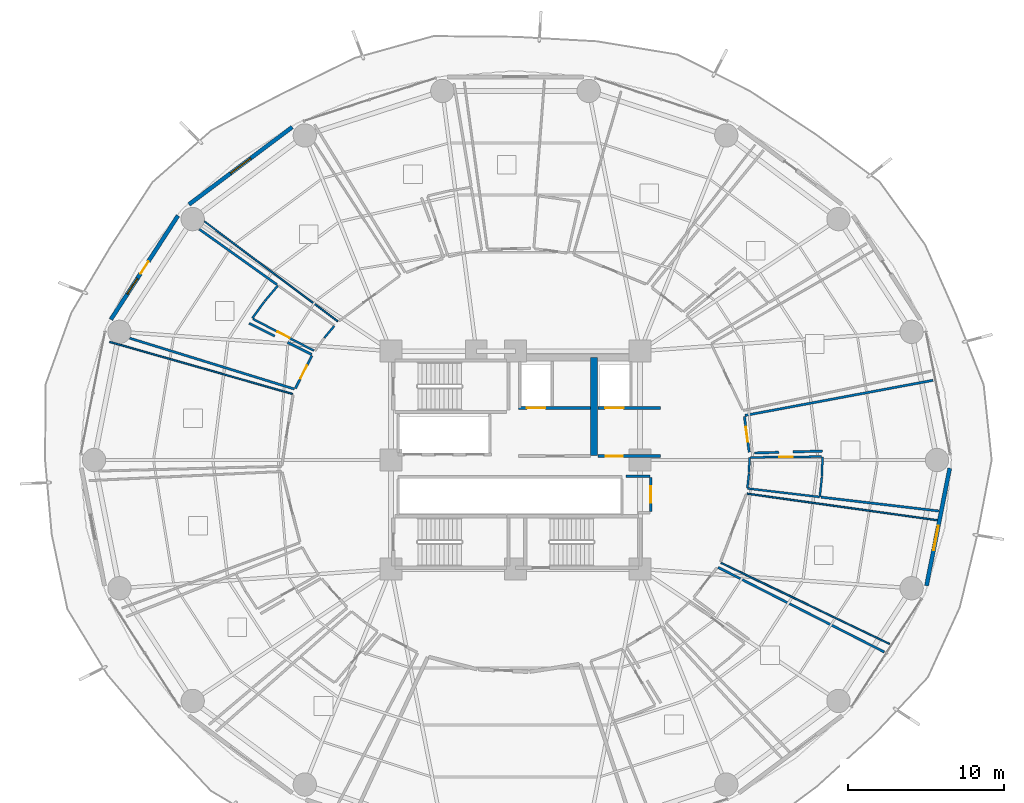
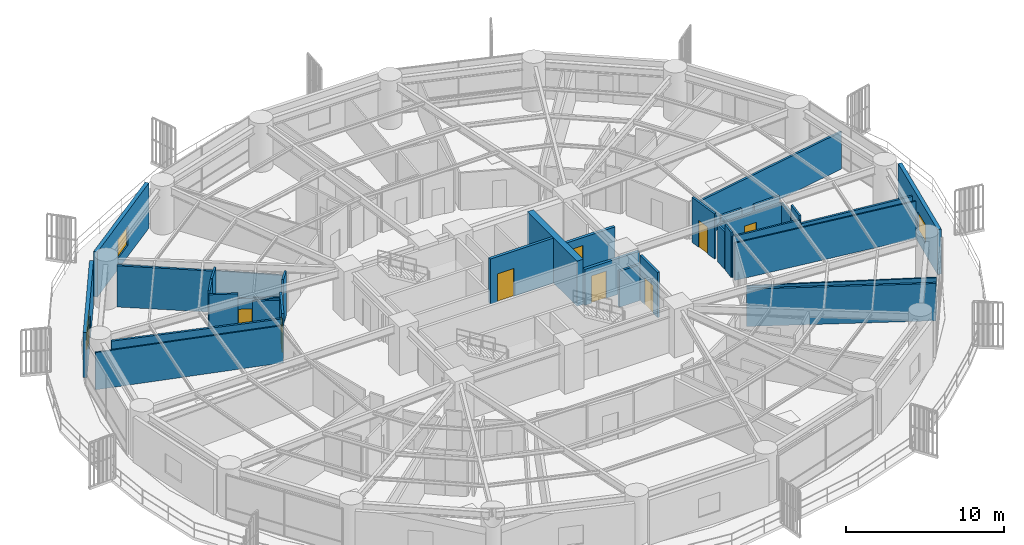
# One storey, part 25 of 33: 34 walls, 9 doors, 3 windows, 12 openings.
"""IFC4 building model written with IfcOpenShell, lengths in metres."""

from ifc_helpers import new_model, si_unit, direction, frame, frame_2d, origin, place, context, subcontext, project, spatial, rectangle, extrude, material, layer, layer_set, type_object, element, fill, save


model = new_model("IFC4")

# Units and contexts
model_context = context("Model", 3, precision=1e-05, world=origin(), true_north=direction((0.0, 1.0)))
body_context = subcontext(model_context, "Body", "Model", "MODEL_VIEW")
ifc_project = project(units=[si_unit("LENGTHUNIT", "METRE"), si_unit("AREAUNIT", "SQUARE_METRE"), si_unit("VOLUMEUNIT", "CUBIC_METRE"), si_unit("PLANEANGLEUNIT", "RADIAN"), si_unit("MASSUNIT", "GRAM", prefix="KILO")], contexts=[model_context])

# Site, building, storey
site_placement = place(None, origin())
site = spatial("IfcSite", under=ifc_project, at=site_placement, CompositionType="ELEMENT")
building_placement = place(site_placement, origin())
building = spatial("IfcBuilding", under=site, at=building_placement, Name="Kelanora Arch Commons", CompositionType="ELEMENT")
storey_placement = place(building_placement, frame((0.0, 0.0, 37.5)))
storey = spatial("IfcBuildingStorey", under=building, at=storey_placement, Name="L09", CompositionType="ELEMENT", Elevation=37.5)

# Wall, opening, door
ifc_material_1 = material(Name="Autoclaved aerated concrete blockwork with fire plaster", Category="masonry")
ifc_layer_1 = layer(ifc_material_1, 0.14990234375)
ifc_layer_set_1 = layer_set([ifc_layer_1], Name="Autoclaved aerated concrete blockwork with fire plaster")
wall_type_1 = type_object("IfcWallType", Name="W-COMP-150", PredefinedType="PARTITIONING", material=ifc_layer_set_1)
wall_1_placement = place(storey_placement, frame((82.679931640625, 54.679931640625, 0.0), z_axis=(0.0, 0.0, 1.0), x_axis=(0.0, 1.0, 0.0)))
wall_1 = element("IfcWall", 1, at=wall_1_placement, inside=storey, type_object=wall_type_1, Name="Core Housekeeping Store L09 Entry Partition", PredefinedType="PARTITIONING", context=body_context, shape_type="SweptSolid", body=[
    extrude(rectangle(XDim=2.2099609375, YDim=0.14990234375, at=frame_2d((1.10498046875, 0.0))), origin(), (0.0, 0.0, 1.0), 3.47998046875),
])
opening_1_placement = place(wall_1_placement, frame((0.56494140625, 0.0, 0.0)))
opening_1 = element("IfcOpeningElement", 2, at=opening_1_placement, cuts=wall_1, Name="Opening D-PLT1", PredefinedType="OPENING", context=body_context, shape_type="SweptSolid", body=[
    extrude(rectangle(XDim=1.080078125, YDim=2.10009765625, at=frame_2d((0.5400390625, 1.050048828125))), frame((0.0, 0.0849609375, 0.0), z_axis=(0.0, -1.0, 0.0), x_axis=(1.0, 0.0, 0.0)), (0.0, 0.0, 1.0), 0.169921875),
])
ifc_material_2 = material(Name="Galvanised steel plant and riser fire door", Category="steel")
door_type_1 = type_object("IfcDoorType", Name="D-PLT-110", OperationType="NOTDEFINED", PredefinedType="DOOR", material=ifc_material_2)
door_1_placement = place(opening_1_placement, origin())
door_1 = element("IfcDoor", 3, at=door_1_placement, inside=storey, type_object=door_type_1, Name="Core Housekeeping Store L09 Door", OperationType="SINGLE_SWING_LEFT", OverallHeight=2.10009765625, OverallWidth=1.080078125, PredefinedType="DOOR", context=body_context, shape_type="SweptSolid", body=[
    extrude(rectangle(XDim=1.080078125, YDim=2.10009765625, at=frame_2d((0.5400390625, 1.050048828125))), frame((0.0, 0.02490234375, 0.0), z_axis=(0.0, -1.0, 0.0), x_axis=(1.0, 0.0, 0.0)), (0.0, 0.0, 1.0), 0.050048828125),
])
fill(opening_1, door_1)

wall_2_placement = place(storey_placement, frame((89.013916015625, 58.50244140625, 0.0), z_axis=(0.0, 0.0, 1.0), x_axis=(-0.133772399852, 0.991012081176, 0.0)))
wall_2 = element("IfcWall", 4, at=wall_2_placement, inside=storey, type_object=wall_type_1, Name="Co-Living Studio L09-04 Entry Partition", PredefinedType="PARTITIONING", context=body_context, shape_type="SweptSolid", body=[
    extrude(rectangle(XDim=2.31591796875, YDim=0.14990234375, at=frame_2d((1.157958984375, 0.0))), origin(), (0.0, 0.0, 1.0), 3.47998046875),
])
opening_2_placement = place(wall_2_placement, frame((0.68310546875, 0.0, 0.0)))
opening_2 = element("IfcOpeningElement", 5, at=opening_2_placement, cuts=wall_2, Name="Opening D-CLU1", PredefinedType="OPENING", context=body_context, shape_type="SweptSolid", body=[
    extrude(rectangle(XDim=0.949951171875, YDim=2.080078125, at=frame_2d((0.47509765625, 1.0400390625))), frame((0.0, 0.0849609375, 0.0), z_axis=(0.0, -1.0, 0.0), x_axis=(1.0, 0.0, 0.0)), (0.0, 0.0, 1.0), 0.169921875),
])
ifc_material_3 = material(Name="Solid-core acoustic timber cluster entry fire door", Category="wood")
door_type_2 = type_object("IfcDoorType", Name="D-CLU-95", OperationType="NOTDEFINED", PredefinedType="DOOR", material=ifc_material_3)
door_2_placement = place(opening_2_placement, origin())
door_2 = element("IfcDoor", 6, at=door_2_placement, inside=storey, type_object=door_type_2, Name="Co-Living Studio L09-04 Door", OperationType="SINGLE_SWING_LEFT", OverallHeight=2.080078125, OverallWidth=0.949951171875, PredefinedType="DOOR", context=body_context, shape_type="SweptSolid", body=[
    extrude(rectangle(XDim=0.949951171875, YDim=2.080078125, at=frame_2d((0.47509765625, 1.0400390625))), frame((0.0, 0.02490234375, 0.0), z_axis=(0.0, -1.0, 0.0), x_axis=(1.0, 0.0, 0.0)), (0.0, 0.0, 1.0), 0.050048828125),
])
fill(opening_2, door_2)

wall_3_placement = place(storey_placement, frame((60.921875, 64.70751953125, 0.0), z_axis=(0.0, 0.0, 1.0), x_axis=(-0.45085566933, -0.892596866135, 0.0)))
wall_3 = element("IfcWall", 7, at=wall_3_placement, inside=storey, type_object=wall_type_1, Name="Co-Living Studio L09-11 Entry Partition", PredefinedType="PARTITIONING", context=body_context, shape_type="SweptSolid", body=[
    extrude(rectangle(XDim=2.357177734375, YDim=0.14990234375, at=frame_2d((1.1787109375, 0.0))), origin(), (0.0, 0.0, 1.0), 3.47998046875),
])
opening_3_placement = place(wall_3_placement, frame((0.7041015625, 0.0, 0.0)))
opening_3 = element("IfcOpeningElement", 8, at=opening_3_placement, cuts=wall_3, Name="Opening D-CLU1", PredefinedType="OPENING", context=body_context, shape_type="SweptSolid", body=[
    extrude(rectangle(XDim=0.949951171875, YDim=2.080078125, at=frame_2d((0.47509765625, 1.0400390625))), frame((0.0, 0.0849609375, 0.0), z_axis=(0.0, -1.0, 0.0), x_axis=(1.0, 0.0, 0.0)), (0.0, 0.0, 1.0), 0.169921875),
])
door_3_placement = place(opening_3_placement, origin())
door_3 = element("IfcDoor", 9, at=door_3_placement, inside=storey, type_object=door_type_2, Name="Co-Living Studio L09-11 Door", OperationType="SINGLE_SWING_RIGHT", OverallHeight=2.080078125, OverallWidth=0.949951171875, PredefinedType="DOOR", context=body_context, shape_type="SweptSolid", body=[
    extrude(rectangle(XDim=0.949951171875, YDim=2.080078125, at=frame_2d((0.47509765625, 1.0400390625))), frame((0.0, 0.02490234375, 0.0), z_axis=(0.0, -1.0, 0.0), x_axis=(1.0, 0.0, 0.0)), (0.0, 0.0, 1.0), 0.050048828125),
])
fill(opening_3, door_3)

# Walls
wall_4_placement = place(storey_placement, frame((82.639892578125, 56.949951171875, 0.0), z_axis=(0.0, 0.0, 1.0), x_axis=(-1.0, 0.0, 0.0)))
element("IfcWall", 10, at=wall_4_placement, inside=storey, type_object=wall_type_1, Name="Core Housekeeping Store L09 Enclosure Partition 3", PredefinedType="PARTITIONING", context=body_context, shape_type="SweptSolid", body=[
    extrude(rectangle(XDim=1.5498046875, YDim=0.14990234375, at=frame_2d((0.77490234375, 0.0))), origin(), (0.0, 0.0, 1.0), 2.77490234375),
])
wall_5_placement = place(storey_placement, frame((87.0126953125, 51.104736328125, 0.0), z_axis=(0.0, 0.0, 1.0), x_axis=(0.891110388763, -0.453786596363, 0.0)))
element("IfcWall", 11, at=wall_5_placement, inside=storey, type_object=wall_type_1, Name="Co-Living Studio L09-02 Enclosure Partition 2", PredefinedType="PARTITIONING", context=body_context, shape_type="SweptSolid", body=[
    extrude(rectangle(XDim=11.982421875, YDim=0.14990234375, at=frame_2d((5.9912109375, 0.0))), origin(), (0.0, 0.0, 1.0), 2.875),
])
wall_6_placement = place(storey_placement, frame((88.7353515625, 60.8642578125, 0.0), z_axis=(0.0, 0.0, 1.0), x_axis=(0.982991936411, 0.183648721617, 0.0)))
element("IfcWall", 12, at=wall_6_placement, inside=storey, type_object=wall_type_1, Name="Co-Living Studio L09-04 Enclosure Partition 2", PredefinedType="PARTITIONING", context=body_context, shape_type="SweptSolid", body=[
    extrude(rectangle(XDim=12.303466796875, YDim=0.14990234375, at=frame_2d((6.15185546875, 0.0))), origin(), (0.0, 0.0, 1.0), 2.875),
])
wall_7_placement = place(storey_placement, frame((101.1923828125, 54.724609375, 0.0), z_axis=(0.0, 0.0, 1.0), x_axis=(-0.993134415104, 0.116978773874, 0.0)))
element("IfcWall", 13, at=wall_7_placement, inside=storey, type_object=wall_type_1, Name="Co-Living Studio L09-04 Enclosure Partition 5", PredefinedType="PARTITIONING", context=body_context, shape_type="SweptSolid", body=[
    extrude(rectangle(XDim=7.621826171875, YDim=0.14990234375, at=frame_2d((3.81103515625, 0.0))), origin(), (0.0, 0.0, 1.0), 2.875),
])
wall_8_placement = place(storey_placement, frame((93.7109375, 58.575927734375, 0.0), z_axis=(0.0, 0.0, 1.0), x_axis=(-0.999599776659, -0.028289335494, 0.0)))
element("IfcWall", 14, at=wall_8_placement, inside=storey, type_object=wall_type_1, Name="Co-Living Studio L09-04 Enclosure Partition 7", PredefinedType="PARTITIONING", context=body_context, shape_type="SweptSolid", body=[
    extrude(rectangle(XDim=1.88134765625, YDim=0.14990234375, at=frame_2d((0.940673828125, 0.0))), origin(), (0.0, 0.0, 1.0), 3.175048828125),
])
wall_9_placement = place(storey_placement, frame((90.91064453125, 58.49658203125, 0.0), z_axis=(0.0, 0.0, 1.0), x_axis=(-0.999595430607, -0.02844248775, 0.0)))
element("IfcWall", 15, at=wall_9_placement, inside=storey, type_object=wall_type_1, Name="Co-Living Studio L09-04 Enclosure Partition 7", PredefinedType="PARTITIONING", context=body_context, shape_type="SweptSolid", body=[
    extrude(rectangle(XDim=1.545166015625, YDim=0.14990234375, at=frame_2d((0.7724609375, 0.0))), origin(), (0.0, 0.0, 1.0), 3.235107421875),
])
wall_10_placement = place(storey_placement, frame((59.793701171875, 62.561767578125, 0.0), z_axis=(0.0, 0.0, 1.0), x_axis=(-0.955526502323, 0.294905244712, 0.0)))
element("IfcWall", 16, at=wall_10_placement, inside=storey, type_object=wall_type_1, Name="Co-Living Studio L09-11 Enclosure Partition 2", PredefinedType="PARTITIONING", context=body_context, shape_type="SweptSolid", body=[
    extrude(rectangle(XDim=11.07421875, YDim=0.14990234375, at=frame_2d((5.537109375, 0.0))), origin(), (0.0, 0.0, 1.0), 3.175048828125),
])
wall_11_placement = place(storey_placement, frame((53.6806640625, 72.830322265625, 0.0), z_axis=(0.0, 0.0, 1.0), x_axis=(0.81406941819, -0.580767580335, 0.0)))
element("IfcWall", 17, at=wall_11_placement, inside=storey, type_object=wall_type_1, Name="Co-Living Studio L09-11 Enclosure Partition 5", PredefinedType="PARTITIONING", context=body_context, shape_type="SweptSolid", body=[
    extrude(rectangle(XDim=6.135498046875, YDim=0.14990234375, at=frame_2d((3.06787109375, 0.0))), origin(), (0.0, 0.0, 1.0), 3.175048828125),
])
wall_12_placement = place(storey_placement, frame((56.876708984375, 66.7880859375, 0.0), z_axis=(0.0, 0.0, 1.0), x_axis=(0.895219183004, -0.445626092573, 0.0)))
element("IfcWall", 18, at=wall_12_placement, inside=storey, type_object=wall_type_1, Name="Co-Living Studio L09-11 Enclosure Partition 7", PredefinedType="PARTITIONING", context=body_context, shape_type="SweptSolid", body=[
    extrude(rectangle(XDim=1.84619140625, YDim=0.14990234375, at=frame_2d((0.923095703125, 0.0))), origin(), (0.0, 0.0, 1.0), 3.47998046875),
])
wall_13_placement = place(storey_placement, frame((59.353271484375, 65.555419921875, 0.0), z_axis=(0.0, 0.0, 1.0), x_axis=(0.895182521617, -0.445699734116, 0.0)))
element("IfcWall", 19, at=wall_13_placement, inside=storey, type_object=wall_type_1, Name="Co-Living Studio L09-11 Enclosure Partition 7", PredefinedType="PARTITIONING", context=body_context, shape_type="SweptSolid", body=[
    extrude(rectangle(XDim=1.742431640625, YDim=0.14990234375, at=frame_2d((0.87109375, 0.0))), origin(), (0.0, 0.0, 1.0), 2.875),
])
ifc_material_4 = material(Name="Concrete C60/75", Category="concrete")
ifc_layer_2 = layer(ifc_material_4, 0.449951171875)
ifc_layer_set_2 = layer_set([ifc_layer_2], Name="Concrete C60/75")
wall_type_2 = type_object("IfcWallType", Name="W-CORE-450", PredefinedType="SHEAR", material=ifc_layer_set_2)
wall_14_placement = place(storey_placement, frame((79.050048828125, 58.300048828125, 0.0), z_axis=(0.0, 0.0, 1.0), x_axis=(0.0, 1.0, 0.0)))
element("IfcWall", 20, at=wall_14_placement, inside=storey, type_object=wall_type_2, Name="Core Shear Spine L09-CE-N", PredefinedType="SHEAR", context=body_context, shape_type="SweptSolid", body=[
    extrude(rectangle(XDim=6.300048828125, YDim=0.449951171875, at=frame_2d((3.14990234375, 0.0))), origin(), (0.0, 0.0, 1.0), 3.489990234375),
])

# Wall, opening, window
ifc_material_5 = material(Name="Precast concrete C40/50 with terracotta rainscreen", Category="masonry")
ifc_layer_3 = layer(ifc_material_5, 0.260009765625)
ifc_layer_set_3 = layer_set([ifc_layer_3], Name="Precast concrete C40/50 with terracotta rainscreen")
wall_type_3 = type_object("IfcWallType", Name="W-EXT-TC", PredefinedType="SOLIDWALL", material=ifc_layer_set_3)
wall_15_placement = place(storey_placement, frame((59.651123046875, 79.38916015625, 0.0), z_axis=(0.0, 0.0, 1.0), x_axis=(-0.80030733173, -0.599590005569, 0.0)))
wall_15 = element("IfcWall", 21, at=wall_15_placement, inside=storey, type_object=wall_type_3, Name="Terracotta Exterior Wall L09-B06", PredefinedType="SOLIDWALL", context=body_context, shape_type="SweptSolid", body=[
    extrude(rectangle(XDim=8.29052734375, YDim=0.260009765625, at=frame_2d((4.145263671875, 0.0))), origin(), (0.0, 0.0, 1.0), 3.47509765625),
])
opening_4_placement = place(wall_15_placement, frame((3.344970703125, 0.0, 0.85009765625)))
opening_4 = element("IfcOpeningElement", 22, at=opening_4_placement, cuts=wall_15, Name="Opening WN-01", PredefinedType="OPENING", context=body_context, shape_type="SweptSolid", body=[
    extrude(rectangle(XDim=1.60009765625, YDim=1.449951171875, at=frame_2d((0.800048828125, 0.72509765625))), frame((0.0, 0.14013671875, 0.0), z_axis=(0.0, -1.0, 0.0), x_axis=(1.0, 0.0, 0.0)), (0.0, 0.0, 1.0), 0.280029296875),
])
ifc_material_6 = material(Name="Terracotta-anodised aluminium frame with operable low-E glazing", Category="masonry")
window_type_1 = type_object("IfcWindowType", Name="WIN-CL-18", PartitioningType="DOUBLE_PANEL_VERTICAL", PredefinedType="WINDOW", material=ifc_material_6)
window_1_placement = place(opening_4_placement, origin())
window_1 = element("IfcWindow", 23, at=window_1_placement, inside=storey, type_object=window_type_1, Name="Co-Living Operable Window L09-B06", OverallHeight=1.449951171875, OverallWidth=1.60009765625, PartitioningType="SINGLE_PANEL", PredefinedType="WINDOW", context=body_context, shape_type="SweptSolid", body=[
    extrude(rectangle(XDim=1.60009765625, YDim=1.449951171875, at=frame_2d((0.800048828125, 0.72509765625))), frame((0.0, 0.030029296875, 0.0), z_axis=(0.0, -1.0, 0.0), x_axis=(1.0, 0.0, 0.0)), (0.0, 0.0, 1.0), 0.06005859375),
])
fill(opening_4, window_1)

# Wall, openings, door, window
wall_16_placement = place(storey_placement, frame((52.310791015625, 73.698486328125, 0.0), z_axis=(0.0, 0.0, 1.0), x_axis=(-0.543005114258, -0.839729388488, 0.0)))
wall_16 = element("IfcWall", 24, at=wall_16_placement, inside=storey, type_object=wall_type_3, Name="Terracotta Exterior Wall L09-B07", PredefinedType="SOLIDWALL", context=body_context, shape_type="SweptSolid", body=[
    extrude(rectangle(XDim=7.9375, YDim=0.260009765625, at=frame_2d((3.96875, 0.0))), origin(), (0.0, 0.0, 1.0), 3.47509765625),
])
opening_5_placement = place(wall_16_placement, frame((3.493896484375, 0.0, 0.0)))
opening_5 = element("IfcOpeningElement", 25, at=opening_5_placement, cuts=wall_16, Name="Opening DB-01", PredefinedType="OPENING", context=body_context, shape_type="SweptSolid", body=[
    extrude(rectangle(XDim=0.949951171875, YDim=2.10009765625, at=frame_2d((0.47509765625, 1.050048828125))), frame((0.0, 0.14013671875, 0.0), z_axis=(0.0, -1.0, 0.0), x_axis=(1.0, 0.0, 0.0)), (0.0, 0.0, 1.0), 0.280029296875),
])
opening_6_placement = place(wall_16_placement, frame((4.7939453125, 0.0, 0.85009765625)))
opening_6 = element("IfcOpeningElement", 26, at=opening_6_placement, cuts=wall_16, Name="Opening WN-02", PredefinedType="OPENING", context=body_context, shape_type="SweptSolid", body=[
    extrude(rectangle(XDim=1.199951171875, YDim=1.449951171875, at=frame_2d((0.60009765625, 0.72509765625))), frame((0.0, 0.14013671875, 0.0), z_axis=(0.0, -1.0, 0.0), x_axis=(1.0, 0.0, 0.0)), (0.0, 0.0, 1.0), 0.280029296875),
])
ifc_material_7 = material(Name="Terracotta-aluminium thermally broken glazed balcony door", Category="masonry")
door_type_3 = type_object("IfcDoorType", Name="D-BAL-10", OperationType="NOTDEFINED", PredefinedType="DOOR", material=ifc_material_7)
door_4_placement = place(opening_5_placement, frame((0.949951171875, 0.0, 0.0), z_axis=(0.0, 0.0, 1.0), x_axis=(-1.0, 0.0, 0.0)))
door_4 = element("IfcDoor", 27, at=door_4_placement, inside=storey, type_object=door_type_3, Name="Wave Balcony Door L09-B07", OperationType="SINGLE_SWING_LEFT", OverallHeight=2.10009765625, OverallWidth=0.949951171875, PredefinedType="DOOR", context=body_context, shape_type="SweptSolid", body=[
    extrude(rectangle(XDim=0.949951171875, YDim=2.10009765625, at=frame_2d((0.47509765625, 1.050048828125))), frame((0.0, 0.02490234375, 0.0), z_axis=(0.0, -1.0, 0.0), x_axis=(1.0, 0.0, 0.0)), (0.0, 0.0, 1.0), 0.050048828125),
])
fill(opening_5, door_4)
ifc_material_8 = material(Name="Terracotta-anodised aluminium frame with operable awning sash", Category="masonry")
window_type_2 = type_object("IfcWindowType", Name="WIN-CL-12", PartitioningType="SINGLE_PANEL", PredefinedType="WINDOW", material=ifc_material_8)
window_2_placement = place(opening_6_placement, origin())
window_2 = element("IfcWindow", 28, at=window_2_placement, inside=storey, type_object=window_type_2, Name="Co-Living Operable Window L09-B07", OverallHeight=1.449951171875, OverallWidth=1.199951171875, PartitioningType="SINGLE_PANEL", PredefinedType="WINDOW", context=body_context, shape_type="SweptSolid", body=[
    extrude(rectangle(XDim=1.199951171875, YDim=1.449951171875, at=frame_2d((0.60009765625, 0.72509765625))), frame((0.0, 0.030029296875, 0.0), z_axis=(0.0, -1.0, 0.0), x_axis=(1.0, 0.0, 0.0)), (0.0, 0.0, 1.0), 0.06005859375),
])
fill(opening_6, window_2)

# Wall, opening, window
wall_17_placement = place(storey_placement, frame((100.404296875, 49.919921875, 0.0), z_axis=(0.0, 0.0, 1.0), x_axis=(0.193726159581, 0.98105564322, 0.0)))
wall_17 = element("IfcWall", 29, at=wall_17_placement, inside=storey, type_object=wall_type_3, Name="Terracotta Exterior Wall L09-B17", PredefinedType="SOLIDWALL", context=body_context, shape_type="SweptSolid", body=[
    extrude(rectangle(XDim=7.70263671875, YDim=0.260009765625, at=frame_2d((3.851318359375, 0.0))), origin(), (0.0, 0.0, 1.0), 3.47509765625),
])
opening_7_placement = place(wall_17_placement, frame((2.3310546875, 0.0, 0.85009765625)))
opening_7 = element("IfcOpeningElement", 30, at=opening_7_placement, cuts=wall_17, Name="Opening WN-01", PredefinedType="OPENING", context=body_context, shape_type="SweptSolid", body=[
    extrude(rectangle(XDim=1.60009765625, YDim=1.449951171875, at=frame_2d((0.800048828125, 0.72509765625))), frame((0.0, 0.14013671875, 0.0), z_axis=(0.0, -1.0, 0.0), x_axis=(1.0, 0.0, 0.0)), (0.0, 0.0, 1.0), 0.280029296875),
])
window_3_placement = place(opening_7_placement, origin())
window_3 = element("IfcWindow", 31, at=window_3_placement, inside=storey, type_object=window_type_1, Name="Co-Living Operable Window L09-B17", OverallHeight=1.449951171875, OverallWidth=1.60009765625, PartitioningType="SINGLE_PANEL", PredefinedType="WINDOW", context=body_context, shape_type="SweptSolid", body=[
    extrude(rectangle(XDim=1.60009765625, YDim=1.449951171875, at=frame_2d((0.800048828125, 0.72509765625))), frame((0.0, 0.030029296875, 0.0), z_axis=(0.0, -1.0, 0.0), x_axis=(1.0, 0.0, 0.0)), (0.0, 0.0, 1.0), 0.06005859375),
])
fill(opening_7, window_3)

# Wall, opening, door
ifc_material_9 = material(Name="Concrete C40/50", Category="concrete")
ifc_layer_4 = layer(ifc_material_9, 0.199951171875)
ifc_layer_set_4 = layer_set([ifc_layer_4], Name="Concrete C40/50")
wall_type_4 = type_object("IfcWallType", Name="W-FFL-200", PredefinedType="SOLIDWALL", material=ifc_layer_set_4)
wall_18_placement = place(storey_placement, frame((74.199951171875, 61.35009765625, 0.0), z_axis=(0.0, 0.0, 1.0), x_axis=(1.0, 0.0, 0.0)))
wall_18 = element("IfcWall", 32, at=wall_18_placement, inside=storey, type_object=wall_type_4, Name="Firefighting Lift 1 Shaft Front L09", PredefinedType="SOLIDWALL", context=body_context, shape_type="SweptSolid", body=[
    extrude(rectangle(XDim=4.60009765625, YDim=0.199951171875, at=frame_2d((2.300048828125, 0.0))), origin(), (0.0, 0.0, 1.0), 3.47998046875),
])
opening_8_placement = place(wall_18_placement, frame((0.52001953125, 0.0, 0.0)))
opening_8 = element("IfcOpeningElement", 33, at=opening_8_placement, cuts=wall_18, Name="Opening LD-FF", PredefinedType="OPENING", context=body_context, shape_type="SweptSolid", body=[
    extrude(rectangle(XDim=1.199951171875, YDim=2.14990234375, at=frame_2d((0.60009765625, 1.074951171875))), frame((0.0, 0.10986328125, 0.0), z_axis=(0.0, -1.0, 0.0), x_axis=(1.0, 0.0, 0.0)), (0.0, 0.0, 1.0), 0.219970703125),
])
ifc_material_10 = material(Name="Fire-rated firefighters lift sliding landing door")
door_type_4 = type_object("IfcDoorType", Name="D-LIFT-FF", OperationType="NOTDEFINED", PredefinedType="DOOR", material=ifc_material_10)
door_5_placement = place(opening_8_placement, origin())
door_5 = element("IfcDoor", 34, at=door_5_placement, inside=storey, type_object=door_type_4, Name="Firefighting Lift LF-FF1 Landing Door L09", OperationType="DOUBLE_DOOR_SLIDING", OverallHeight=2.14990234375, OverallWidth=1.199951171875, PredefinedType="DOOR", context=body_context, shape_type="SweptSolid", body=[
    extrude(rectangle(XDim=1.199951171875, YDim=2.14990234375, at=frame_2d((0.60009765625, 1.074951171875))), frame((0.0, 0.02490234375, 0.0), z_axis=(0.0, -1.0, 0.0), x_axis=(1.0, 0.0, 0.0)), (0.0, 0.0, 1.0), 0.050048828125),
])
fill(opening_8, door_5)

wall_19_placement = place(storey_placement, frame((79.300048828125, 61.35009765625, 0.0), z_axis=(0.0, 0.0, 1.0), x_axis=(1.0, 0.0, 0.0)))
wall_19 = element("IfcWall", 35, at=wall_19_placement, inside=storey, type_object=wall_type_4, Name="Firefighting Lift 2 Shaft Front L09", PredefinedType="SOLIDWALL", context=body_context, shape_type="SweptSolid", body=[
    extrude(rectangle(XDim=4.0, YDim=0.199951171875, at=frame_2d((2.0, 0.0))), origin(), (0.0, 0.0, 1.0), 2.77490234375),
])
opening_9_placement = place(wall_19_placement, frame((0.449951171875, 0.0, 0.0)))
opening_9 = element("IfcOpeningElement", 36, at=opening_9_placement, cuts=wall_19, Name="Opening LD-FF", PredefinedType="OPENING", context=body_context, shape_type="SweptSolid", body=[
    extrude(rectangle(XDim=1.199951171875, YDim=2.14990234375, at=frame_2d((0.60009765625, 1.074951171875))), frame((0.0, 0.10986328125, 0.0), z_axis=(0.0, -1.0, 0.0), x_axis=(1.0, 0.0, 0.0)), (0.0, 0.0, 1.0), 0.219970703125),
])
door_6_placement = place(opening_9_placement, origin())
door_6 = element("IfcDoor", 37, at=door_6_placement, inside=storey, type_object=door_type_4, Name="Firefighting Lift LF-FF2 Landing Door L09", OperationType="DOUBLE_DOOR_SLIDING", OverallHeight=2.14990234375, OverallWidth=1.199951171875, PredefinedType="DOOR", context=body_context, shape_type="SweptSolid", body=[
    extrude(rectangle(XDim=1.199951171875, YDim=2.14990234375, at=frame_2d((0.60009765625, 1.074951171875))), frame((0.0, 0.02490234375, 0.0), z_axis=(0.0, -1.0, 0.0), x_axis=(1.0, 0.0, 0.0)), (0.0, 0.0, 1.0), 0.050048828125),
])
fill(opening_9, door_6)

wall_20_placement = place(storey_placement, frame((79.300048828125, 58.25, 0.0), z_axis=(0.0, 0.0, 1.0), x_axis=(1.0, 0.0, 0.0)))
wall_20 = element("IfcWall", 38, at=wall_20_placement, inside=storey, type_object=wall_type_4, Name="Firefighting Lobby 2 Enclosure Wall L09", PredefinedType="SOLIDWALL", context=body_context, shape_type="SweptSolid", body=[
    extrude(rectangle(XDim=4.0, YDim=0.199951171875, at=frame_2d((2.0, 0.0))), origin(), (0.0, 0.0, 1.0), 2.77490234375),
])
opening_10_placement = place(wall_20_placement, frame((0.5, 0.0, 0.0)))
opening_10 = element("IfcOpeningElement", 39, at=opening_10_placement, cuts=wall_20, Name="Opening D-FFL1", PredefinedType="OPENING", context=body_context, shape_type="SweptSolid", body=[
    extrude(rectangle(XDim=1.10009765625, YDim=2.10009765625, at=frame_2d((0.550048828125, 1.050048828125))), frame((0.0, 0.10986328125, 0.0), z_axis=(0.0, -1.0, 0.0), x_axis=(1.0, 0.0, 0.0)), (0.0, 0.0, 1.0), 0.219970703125),
])
ifc_material_11 = material(Name="Smoke-sealed firefighting lobby fire door")
door_type_5 = type_object("IfcDoorType", Name="D-FFL-110", OperationType="NOTDEFINED", PredefinedType="DOOR", material=ifc_material_11)
door_7_placement = place(opening_10_placement, frame((1.10009765625, 0.0, 0.0), z_axis=(0.0, 0.0, 1.0), x_axis=(-1.0, 0.0, 0.0)))
door_7 = element("IfcDoor", 40, at=door_7_placement, inside=storey, type_object=door_type_5, Name="Firefighting Lobby 2 Door L09", OperationType="SINGLE_SWING_RIGHT", OverallHeight=2.10009765625, OverallWidth=1.10009765625, PredefinedType="DOOR", context=body_context, shape_type="SweptSolid", body=[
    extrude(rectangle(XDim=1.10009765625, YDim=2.10009765625, at=frame_2d((0.550048828125, 1.050048828125))), frame((0.0, 0.02490234375, 0.0), z_axis=(0.0, -1.0, 0.0), x_axis=(1.0, 0.0, 0.0)), (0.0, 0.0, 1.0), 0.050048828125),
])
fill(opening_10, door_7)

# Walls
ifc_material_12 = material(Name="Lightweight fire-rated acoustic stud partition")
ifc_layer_5 = layer(ifc_material_12, 0.10009765625)
ifc_layer_set_5 = layer_set([ifc_layer_5], Name="Lightweight fire-rated acoustic stud partition")
wall_type_5 = type_object("IfcWallType", Name="W-PART-100", PredefinedType="PARTITIONING", material=ifc_layer_set_5)
wall_21_placement = place(storey_placement, frame((88.880615234375, 55.83837890625, 0.0), z_axis=(0.0, 0.0, 1.0), x_axis=(0.990398529906, -0.138241643366, 0.0)))
element("IfcWall", 41, at=wall_21_placement, inside=storey, type_object=wall_type_5, Name="Communal Dining and Social Hall L09-03 Enclosure Partition 2", PredefinedType="PARTITIONING", context=body_context, shape_type="SweptSolid", body=[
    extrude(rectangle(XDim=12.332275390625, YDim=0.10009765625, at=frame_2d((6.166015625, 0.0))), origin(), (0.0, 0.0, 1.0), 2.875),
])
wall_22_placement = place(storey_placement, frame((98.02197265625, 46.186279296875, 0.0), z_axis=(0.0, 0.0, 1.0), x_axis=(-0.901130168513, 0.43354863556, 0.0)))
element("IfcWall", 42, at=wall_22_placement, inside=storey, type_object=wall_type_5, Name="Communal Dining and Social Hall L09-03 Enclosure Partition 4", PredefinedType="PARTITIONING", context=body_context, shape_type="SweptSolid", body=[
    extrude(rectangle(XDim=12.015869140625, YDim=0.10009765625, at=frame_2d((6.0078125, 0.0))), origin(), (0.0, 0.0, 1.0), 2.875),
])
wall_23_placement = place(storey_placement, frame((62.572998046875, 66.912109375, 0.0), z_axis=(0.0, 0.0, 1.0), x_axis=(-0.800175286691, 0.599766213261, 0.0)))
element("IfcWall", 43, at=wall_23_placement, inside=storey, type_object=wall_type_5, Name="Social Sky Lounge L09-10 Enclosure Partition 2", PredefinedType="PARTITIONING", context=body_context, shape_type="SweptSolid", body=[
    extrude(rectangle(XDim=10.694580078125, YDim=0.10009765625, at=frame_2d((5.34716796875, 0.0))), origin(), (0.0, 0.0, 1.0), 2.875),
])
wall_24_placement = place(storey_placement, frame((47.91845703125, 65.593994140625, 0.0), z_axis=(0.0, 0.0, 1.0), x_axis=(0.961766996246, -0.273869028792, 0.0)))
element("IfcWall", 44, at=wall_24_placement, inside=storey, type_object=wall_type_5, Name="Quiet Seminar Study Room L09-12 Enclosure Partition 4", PredefinedType="PARTITIONING", context=body_context, shape_type="SweptSolid", body=[
    extrude(rectangle(XDim=12.224365234375, YDim=0.10009765625, at=frame_2d((6.1123046875, 0.0))), origin(), (0.0, 0.0, 1.0), 2.875),
])

# Wall, opening, door
ifc_material_13 = material(Name="Moisture-resistant fire-rated cement-board plumbing wall")
ifc_layer_6 = layer(ifc_material_13, 0.1298828125)
ifc_layer_set_6 = layer_set([ifc_layer_6], Name="Moisture-resistant fire-rated cement-board plumbing wall")
wall_type_6 = type_object("IfcWallType", Name="W-WET-120", PredefinedType="PLUMBINGWALL", material=ifc_layer_set_6)
wall_25_placement = place(storey_placement, frame((89.089111328125, 58.169677734375, 0.0), z_axis=(0.0, 0.0, 1.0), x_axis=(0.999941196269, 0.01084453803, 0.0)))
wall_25 = element("IfcWall", 45, at=wall_25_placement, inside=storey, type_object=wall_type_6, Name="En-Suite Shower WC L09-04 Entry Partition", PredefinedType="PLUMBINGWALL", context=body_context, shape_type="SweptSolid", body=[
    extrude(rectangle(XDim=4.570068359375, YDim=0.1298828125, at=frame_2d((2.28515625, 0.0))), origin(), (0.0, 0.0, 1.0), 2.875),
])
opening_11_placement = place(wall_25_placement, frame((1.85498046875, 0.0, 0.0)))
opening_11 = element("IfcOpeningElement", 46, at=opening_11_placement, cuts=wall_25, Name="Opening D-BT1", PredefinedType="OPENING", context=body_context, shape_type="SweptSolid", body=[
    extrude(rectangle(XDim=0.860107421875, YDim=2.050048828125, at=frame_2d((0.43017578125, 1.02490234375))), frame((0.0, 0.074951171875, 0.0), z_axis=(0.0, -1.0, 0.0), x_axis=(1.0, 0.0, 0.0)), (0.0, 0.0, 1.0), 0.14990234375),
])
ifc_material_14 = material(Name="Moisture-sealed fire-rated accessible bathroom door")
door_type_6 = type_object("IfcDoorType", Name="D-BATH-85", OperationType="NOTDEFINED", PredefinedType="DOOR", material=ifc_material_14)
door_8_placement = place(opening_11_placement, origin())
door_8 = element("IfcDoor", 47, at=door_8_placement, inside=storey, type_object=door_type_6, Name="En-Suite Shower WC L09-04 Door", OperationType="SINGLE_SWING_RIGHT", OverallHeight=2.050048828125, OverallWidth=0.860107421875, PredefinedType="DOOR", context=body_context, shape_type="SweptSolid", body=[
    extrude(rectangle(XDim=0.860107421875, YDim=2.050048828125, at=frame_2d((0.43017578125, 1.02490234375))), frame((0.0, 0.02490234375, 0.0), z_axis=(0.0, -1.0, 0.0), x_axis=(1.0, 0.0, 0.0)), (0.0, 0.0, 1.0), 0.050048828125),
])
fill(opening_11, door_8)

wall_26_placement = place(storey_placement, frame((61.048828125, 65.024658203125, 0.0), z_axis=(0.0, 0.0, 1.0), x_axis=(-0.887004135063, 0.461761479966, 0.0)))
wall_26 = element("IfcWall", 48, at=wall_26_placement, inside=storey, type_object=wall_type_6, Name="En-Suite Shower WC L09-11 Entry Partition", PredefinedType="PLUMBINGWALL", context=body_context, shape_type="SweptSolid", body=[
    extrude(rectangle(XDim=4.4189453125, YDim=0.1298828125, at=frame_2d((2.20947265625, 0.0))), origin(), (0.0, 0.0, 1.0), 2.875),
])
opening_12_placement = place(wall_26_placement, frame((1.779052734375, 0.0, 0.0)))
opening_12 = element("IfcOpeningElement", 49, at=opening_12_placement, cuts=wall_26, Name="Opening D-BT1", PredefinedType="OPENING", context=body_context, shape_type="SweptSolid", body=[
    extrude(rectangle(XDim=0.860107421875, YDim=2.050048828125, at=frame_2d((0.43017578125, 1.02490234375))), frame((0.0, 0.074951171875, 0.0), z_axis=(0.0, -1.0, 0.0), x_axis=(1.0, 0.0, 0.0)), (0.0, 0.0, 1.0), 0.14990234375),
])
door_9_placement = place(opening_12_placement, origin())
door_9 = element("IfcDoor", 50, at=door_9_placement, inside=storey, type_object=door_type_6, Name="En-Suite Shower WC L09-11 Door", OperationType="SINGLE_SWING_LEFT", OverallHeight=2.050048828125, OverallWidth=0.860107421875, PredefinedType="DOOR", context=body_context, shape_type="SweptSolid", body=[
    extrude(rectangle(XDim=0.860107421875, YDim=2.050048828125, at=frame_2d((0.43017578125, 1.02490234375))), frame((0.0, 0.02490234375, 0.0), z_axis=(0.0, -1.0, 0.0), x_axis=(1.0, 0.0, 0.0)), (0.0, 0.0, 1.0), 0.050048828125),
])
fill(opening_12, door_9)

# Walls
wall_27_placement = place(storey_placement, frame((88.896240234375, 56.19384765625, 0.0), z_axis=(0.0, 0.0, 1.0), x_axis=(0.107726188353, 0.994180601472, 0.0)))
element("IfcWall", 51, at=wall_27_placement, inside=storey, type_object=wall_type_6, Name="En-Suite Shower WC L09-04 Enclosure Partition 1", PredefinedType="PLUMBINGWALL", context=body_context, shape_type="SweptSolid", body=[
    extrude(rectangle(XDim=0.9609375, YDim=0.1298828125, at=frame_2d((0.48046875, 0.0))), origin(), (0.0, 0.0, 1.0), 3.47998046875),
])
wall_28_placement = place(storey_placement, frame((89.00244140625, 57.18896484375, 0.0), z_axis=(0.0, 0.0, 1.0), x_axis=(0.027202544209, 0.999629942323, 0.0)))
element("IfcWall", 52, at=wall_28_placement, inside=storey, type_object=wall_type_6, Name="En-Suite Shower WC L09-04 Enclosure Partition 2", PredefinedType="PLUMBINGWALL", context=body_context, shape_type="SweptSolid", body=[
    extrude(rectangle(XDim=0.960205078125, YDim=0.1298828125, at=frame_2d((0.47998046875, 0.0))), origin(), (0.0, 0.0, 1.0), 2.875),
])
wall_29_placement = place(storey_placement, frame((93.718505859375, 58.199951171875, 0.0), z_axis=(0.0, 0.0, 1.0), x_axis=(-0.026923002118, -0.999637510279, 0.0)))
element("IfcWall", 53, at=wall_29_placement, inside=storey, type_object=wall_type_6, Name="En-Suite Shower WC L09-04 Enclosure Partition 4", PredefinedType="PLUMBINGWALL", context=body_context, shape_type="SweptSolid", body=[
    extrude(rectangle(XDim=1.260498046875, YDim=0.1298828125, at=frame_2d((0.63037109375, 0.0))), origin(), (0.0, 0.0, 1.0), 2.875),
])
wall_30_placement = place(storey_placement, frame((93.681884765625, 56.900146484375, 0.0), z_axis=(0.0, 0.0, 1.0), x_axis=(-0.108454469845, -0.994101417347, 0.0)))
element("IfcWall", 54, at=wall_30_placement, inside=storey, type_object=wall_type_6, Name="En-Suite Shower WC L09-04 Enclosure Partition 5", PredefinedType="PLUMBINGWALL", context=body_context, shape_type="SweptSolid", body=[
    extrude(rectangle(XDim=1.260498046875, YDim=0.1298828125, at=frame_2d((0.63037109375, 0.0))), origin(), (0.0, 0.0, 1.0), 3.47998046875),
])
wall_31_placement = place(storey_placement, frame((93.523193359375, 55.62939453125, 0.0), z_axis=(0.0, 0.0, 1.0), x_axis=(-0.993151681483, 0.116832091344, 0.0)))
element("IfcWall", 55, at=wall_31_placement, inside=storey, type_object=wall_type_6, Name="En-Suite Shower WC L09-04 Enclosure Partition 6", PredefinedType="PLUMBINGWALL", context=body_context, shape_type="SweptSolid", body=[
    extrude(rectangle(XDim=4.64111328125, YDim=0.1298828125, at=frame_2d((2.320556640625, 0.0))), origin(), (0.0, 0.0, 1.0), 3.175048828125),
])
wall_32_placement = place(storey_placement, frame((62.356201171875, 66.61767578125, 0.0), z_axis=(0.0, 0.0, 1.0), x_axis=(-0.641793013208, -0.766877909577, 0.0)))
element("IfcWall", 56, at=wall_32_placement, inside=storey, type_object=wall_type_6, Name="En-Suite Shower WC L09-11 Enclosure Partition 1", PredefinedType="PLUMBINGWALL", context=body_context, shape_type="SweptSolid", body=[
    extrude(rectangle(XDim=0.999267578125, YDim=0.1298828125, at=frame_2d((0.49951171875, 0.0))), origin(), (0.0, 0.0, 1.0), 3.47998046875),
])
wall_33_placement = place(storey_placement, frame((57.087646484375, 67.109130859375, 0.0), z_axis=(0.0, 0.0, 1.0), x_axis=(0.585545160258, 0.810639787636, 0.0)))
element("IfcWall", 57, at=wall_33_placement, inside=storey, type_object=wall_type_6, Name="En-Suite Shower WC L09-11 Enclosure Partition 4", PredefinedType="PLUMBINGWALL", context=body_context, shape_type="SweptSolid", body=[
    extrude(rectangle(XDim=1.305908203125, YDim=0.1298828125, at=frame_2d((0.65283203125, 0.0))), origin(), (0.0, 0.0, 1.0), 3.47998046875),
])
wall_34_placement = place(storey_placement, frame((57.876953125, 68.19921875, 0.0), z_axis=(0.0, 0.0, 1.0), x_axis=(0.645609332361, 0.763667853172, 0.0)))
element("IfcWall", 58, at=wall_34_placement, inside=storey, type_object=wall_type_6, Name="En-Suite Shower WC L09-11 Enclosure Partition 5", PredefinedType="PLUMBINGWALL", context=body_context, shape_type="SweptSolid", body=[
    extrude(rectangle(XDim=1.315185546875, YDim=0.1298828125, at=frame_2d((0.65771484375, 0.0))), origin(), (0.0, 0.0, 1.0), 3.47998046875),
])

save(model, "model.ifc")
